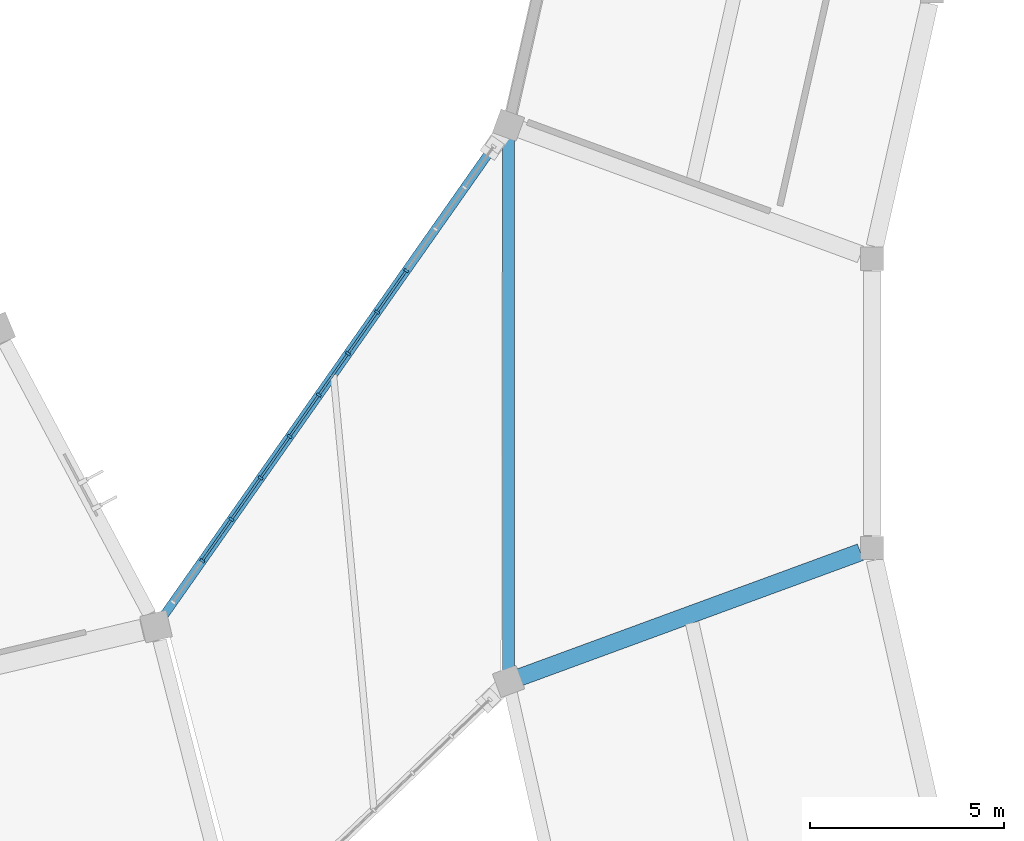
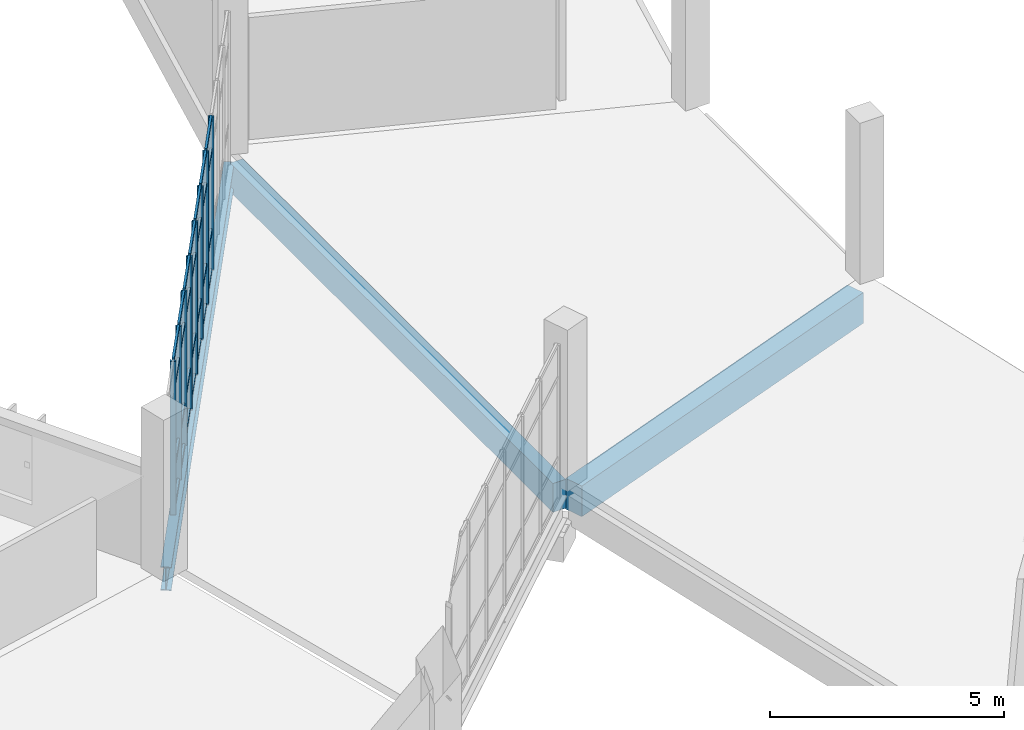
# One storey, part 52 of 142: 36 members, 3 beams, 1 element without a shape of its own.
"""IFC4 building model written with IfcOpenShell, lengths in metres."""

from ifc_helpers import new_model, si_unit, direction, frame, origin, origin_2d, place, context, subcontext, project, spatial, rectangle, i_section, extrude, material, layer, layer_set, material_profile, profile_set, type_object, element, aggregate, save


model = new_model("IFC4")

# Units and contexts
model_context = context("Model", 3, precision=1e-05, world=origin(), true_north=direction((0.0, 1.0)))
body_context = subcontext(model_context, "Body", "Model", "MODEL_VIEW")
ifc_project = project(units=[si_unit("LENGTHUNIT", "METRE"), si_unit("AREAUNIT", "SQUARE_METRE"), si_unit("VOLUMEUNIT", "CUBIC_METRE"), si_unit("PLANEANGLEUNIT", "RADIAN"), si_unit("MASSUNIT", "GRAM", prefix="KILO")], contexts=[model_context])

# Site, building, storey
site_placement = place(None, origin())
site = spatial("IfcSite", under=ifc_project, at=site_placement, CompositionType="ELEMENT")
building_placement = place(site_placement, origin())
building = spatial("IfcBuilding", under=site, at=building_placement, Name="Corvandel Quay Wholesale Market", CompositionType="ELEMENT")
storey_placement = place(building_placement, frame((0.0, 0.0, 10.800048828125)))
storey = spatial("IfcBuildingStorey", under=building, at=storey_placement, Name="L02", CompositionType="ELEMENT", Elevation=10.800048828125)

# Beams
ifc_material_1 = material(Name="Precast concrete C45/55", Category="concrete")
ifc_material_profile_1 = material_profile(ifc_material_1, rectangle(XDim=0.449951171875, YDim=0.800048828125, at=origin_2d()), Name="PC-GIR-450x800")
ifc_profile_set_1 = profile_set([ifc_material_profile_1], Name="Precast concrete C45/55")
beam_type_1 = type_object("IfcBeamType", Name="Auction Pavilion Girder G05 450x800", PredefinedType="USERDEFINED", material=ifc_profile_set_1)
beam_1_placement = place(storey_placement, frame((175.25341796875, 52.93212890625, -0.6201171875), z_axis=(0.938713588156, 0.344698127949, 0.0), x_axis=(-0.344698127949, 0.938713588156, 0.0)))
element("IfcBeam", 1, at=beam_1_placement, inside=storey, type_object=beam_type_1, Name="Beam BM-0857", ObjectType="GIRDER", PredefinedType="USERDEFINED", context=body_context, shape_type="SweptSolid", body=[
    extrude(rectangle(XDim=0.449951171875, YDim=0.800048828125, at=origin_2d()), origin(), (0.0, 0.0, 1.0), 9.381103515625),
])
ifc_material_2 = material(Name="Steel A992 Grade 50", Category="steel")
ifc_material_profile_2 = material_profile(ifc_material_2, i_section(OverallWidth=0.22900390625, OverallDepth=0.612060546875, WebThickness=0.011962890625, FlangeThickness=0.01953125, at=origin_2d()), Name="W24X84")
ifc_profile_set_2 = profile_set([ifc_material_profile_2], Name="Steel A992 Grade 50")
beam_type_2 = type_object("IfcBeamType", Name="Bridge Link Steel Girder SG02 W24X84", PredefinedType="USERDEFINED", material=ifc_profile_set_2)
beam_2_placement = place(storey_placement, frame((166.135009765625, 54.549560546875, -0.526123046875), z_axis=(0.575077001767, 0.818099286174, 0.0), x_axis=(-0.818099286174, 0.575077001767, 0.0)))
element("IfcBeam", 2, at=beam_2_placement, inside=storey, type_object=beam_type_2, Name="Beam BM-1799", ObjectType="GIRDER", PredefinedType="USERDEFINED", context=body_context, shape_type="SweptSolid", body=[
    extrude(i_section(OverallWidth=0.22900390625, OverallDepth=0.612060546875, WebThickness=0.011962890625, FlangeThickness=0.01953125, at=origin_2d()), origin(), (0.0, 0.0, 1.0), 15.150390625),
])

# Curtain wall, members
ifc_material_3 = material(Name="Bronze anodised aluminium and low-E insulated glazing", Category="aluminium")
ifc_layer = layer(ifc_material_3, 0.14990234375)
ifc_layer_set = layer_set([ifc_layer], Name="Bronze anodised aluminium and low-E insulated glazing")
curtain_wall_type = type_object("IfcCurtainWallType", Name="Stick Curtain Wall System CW20 H4800", PredefinedType="NOTDEFINED", material=ifc_layer_set)
curtain_wall_placement = place(storey_placement, origin())
curtain_wall = element("IfcCurtainWall", 3, at=curtain_wall_placement, inside=storey, type_object=curtain_wall_type, Name="Curtain Wall CW-0179", PredefinedType="NOTDEFINED")
ifc_material_4 = material(Name="Anodised aluminium 6063-T6", Category="aluminium")
ifc_material_profile_3 = material_profile(ifc_material_4, rectangle(XDim=0.06005859375, YDim=0.1298828125, at=origin_2d()), Name="ALU-MUL-60x130")
ifc_profile_set_3 = profile_set([ifc_material_profile_3], Name="Anodised aluminium 6063-T6")
member_type_1 = type_object("IfcMemberType", Name="Clerestory Mullion ML03 60x130", PredefinedType="MULLION", material=ifc_profile_set_3)
member_1_placement = place(storey_placement, frame((167.114990234375, 55.944091796875, -0.030029296875), z_axis=(0.0, 0.0, 1.0), x_axis=(0.575148037348, 0.818049347616, 0.0)))
member_1 = element("IfcMember", 4, at=member_1_placement, type_object=member_type_1, Name="Mullion CW-0179-M01", PredefinedType="MULLION", context=body_context, shape_type="SweptSolid", body=[
    extrude(rectangle(XDim=0.06005859375, YDim=0.1298828125, at=origin_2d()), origin(), (0.0, 0.0, 1.0), 4.0),
])
member_2_placement = place(storey_placement, frame((167.865478515625, 57.011474609375, -0.030029296875), z_axis=(0.0, 0.0, 1.0), x_axis=(0.575148037348, 0.818049347616, 0.0)))
member_2 = element("IfcMember", 5, at=member_2_placement, type_object=member_type_1, Name="Mullion CW-0179-M02", PredefinedType="MULLION", context=body_context, shape_type="SweptSolid", body=[
    extrude(rectangle(XDim=0.06005859375, YDim=0.1298828125, at=origin_2d()), origin(), (0.0, 0.0, 1.0), 4.0),
])
member_3_placement = place(storey_placement, frame((168.615478515625, 58.07861328125, -0.030029296875), z_axis=(0.0, 0.0, 1.0), x_axis=(0.575148037348, 0.818049347616, 0.0)))
member_3 = element("IfcMember", 6, at=member_3_placement, type_object=member_type_1, Name="Mullion CW-0179-M03", PredefinedType="MULLION", context=body_context, shape_type="SweptSolid", body=[
    extrude(rectangle(XDim=0.06005859375, YDim=0.1298828125, at=origin_2d()), origin(), (0.0, 0.0, 1.0), 4.0),
])
member_4_placement = place(storey_placement, frame((169.365966796875, 59.14599609375, -0.030029296875), z_axis=(0.0, 0.0, 1.0), x_axis=(0.575148037348, 0.818049347616, 0.0)))
member_4 = element("IfcMember", 7, at=member_4_placement, type_object=member_type_1, Name="Mullion CW-0179-M04", PredefinedType="MULLION", context=body_context, shape_type="SweptSolid", body=[
    extrude(rectangle(XDim=0.06005859375, YDim=0.1298828125, at=origin_2d()), origin(), (0.0, 0.0, 1.0), 4.0),
])
member_5_placement = place(storey_placement, frame((170.1162109375, 60.21337890625, -0.030029296875), z_axis=(0.0, 0.0, 1.0), x_axis=(0.575148037348, 0.818049347616, 0.0)))
member_5 = element("IfcMember", 8, at=member_5_placement, type_object=member_type_1, Name="Mullion CW-0179-M05", PredefinedType="MULLION", context=body_context, shape_type="SweptSolid", body=[
    extrude(rectangle(XDim=0.06005859375, YDim=0.1298828125, at=origin_2d()), origin(), (0.0, 0.0, 1.0), 4.0),
])
member_6_placement = place(storey_placement, frame((170.866455078125, 61.280517578125, -0.030029296875), z_axis=(0.0, 0.0, 1.0), x_axis=(0.575148037348, 0.818049347616, 0.0)))
member_6 = element("IfcMember", 9, at=member_6_placement, type_object=member_type_1, Name="Mullion CW-0179-M06", PredefinedType="MULLION", context=body_context, shape_type="SweptSolid", body=[
    extrude(rectangle(XDim=0.06005859375, YDim=0.1298828125, at=origin_2d()), origin(), (0.0, 0.0, 1.0), 4.0),
])
member_7_placement = place(storey_placement, frame((171.61669921875, 62.347900390625, -0.030029296875), z_axis=(0.0, 0.0, 1.0), x_axis=(0.575148037348, 0.818049347616, 0.0)))
member_7 = element("IfcMember", 10, at=member_7_placement, type_object=member_type_1, Name="Mullion CW-0179-M07", PredefinedType="MULLION", context=body_context, shape_type="SweptSolid", body=[
    extrude(rectangle(XDim=0.06005859375, YDim=0.1298828125, at=origin_2d()), origin(), (0.0, 0.0, 1.0), 4.0),
])
member_8_placement = place(storey_placement, frame((172.366943359375, 63.4150390625, -0.030029296875), z_axis=(0.0, 0.0, 1.0), x_axis=(0.575148037348, 0.818049347616, 0.0)))
member_8 = element("IfcMember", 11, at=member_8_placement, type_object=member_type_1, Name="Mullion CW-0179-M08", PredefinedType="MULLION", context=body_context, shape_type="SweptSolid", body=[
    extrude(rectangle(XDim=0.06005859375, YDim=0.1298828125, at=origin_2d()), origin(), (0.0, 0.0, 1.0), 4.0),
])
ifc_material_profile_4 = material_profile(ifc_material_4, rectangle(XDim=0.054931640625, YDim=0.094970703125, at=origin_2d()), Name="ALU-TRN-55x95")
ifc_profile_set_4 = profile_set([ifc_material_profile_4], Name="Anodised aluminium 6063-T6")
member_type_2 = type_object("IfcMemberType", Name="Clerestory Transom TR03 55x95", PredefinedType="USERDEFINED", material=ifc_profile_set_4)
member_9_placement = place(storey_placement, frame((167.13232421875, 55.96875, -0.030029296875), z_axis=(0.575172649736, 0.818032042769, 0.0), x_axis=(-0.818032042769, 0.575172649736, 0.0)))
member_9 = element("IfcMember", 12, at=member_9_placement, type_object=member_type_2, Name="Transom CW-0179-T01-0", ObjectType="TRANSOM", PredefinedType="USERDEFINED", context=body_context, shape_type="SweptSolid", body=[
    extrude(rectangle(XDim=0.054931640625, YDim=0.094970703125, at=origin_2d()), origin(), (0.0, 0.0, 1.0), 1.24462890625),
])
member_10_placement = place(storey_placement, frame((167.13232421875, 55.96875, 1.02001953125), z_axis=(0.575172649736, 0.818032042769, 0.0), x_axis=(-0.818032042769, 0.575172649736, 0.0)))
member_10 = element("IfcMember", 13, at=member_10_placement, type_object=member_type_2, Name="Transom CW-0179-T01-1", ObjectType="TRANSOM", PredefinedType="USERDEFINED", context=body_context, shape_type="SweptSolid", body=[
    extrude(rectangle(XDim=0.054931640625, YDim=0.094970703125, at=origin_2d()), origin(), (0.0, 0.0, 1.0), 1.24462890625),
])
member_11_placement = place(storey_placement, frame((167.13232421875, 55.96875, 3.119873046875), z_axis=(0.575172649736, 0.818032042769, 0.0), x_axis=(-0.818032042769, 0.575172649736, 0.0)))
member_11 = element("IfcMember", 14, at=member_11_placement, type_object=member_type_2, Name="Transom CW-0179-T01-2", ObjectType="TRANSOM", PredefinedType="USERDEFINED", context=body_context, shape_type="SweptSolid", body=[
    extrude(rectangle(XDim=0.054931640625, YDim=0.094970703125, at=origin_2d()), origin(), (0.0, 0.0, 1.0), 1.24462890625),
])
member_12_placement = place(storey_placement, frame((167.13232421875, 55.96875, 3.969970703125), z_axis=(0.575172649736, 0.818032042769, 0.0), x_axis=(-0.818032042769, 0.575172649736, 0.0)))
member_12 = element("IfcMember", 15, at=member_12_placement, type_object=member_type_2, Name="Transom CW-0179-T01-3", ObjectType="TRANSOM", PredefinedType="USERDEFINED", context=body_context, shape_type="SweptSolid", body=[
    extrude(rectangle(XDim=0.054931640625, YDim=0.094970703125, at=origin_2d()), origin(), (0.0, 0.0, 1.0), 1.24462890625),
])
member_13_placement = place(storey_placement, frame((167.882568359375, 57.035888671875, -0.030029296875), z_axis=(0.575080360651, 0.81809692506, 0.0), x_axis=(-0.81809692506, 0.575080360651, 0.0)))
member_13 = element("IfcMember", 16, at=member_13_placement, type_object=member_type_2, Name="Transom CW-0179-T02-0", ObjectType="TRANSOM", PredefinedType="USERDEFINED", context=body_context, shape_type="SweptSolid", body=[
    extrude(rectangle(XDim=0.054931640625, YDim=0.094970703125, at=origin_2d()), origin(), (0.0, 0.0, 1.0), 1.24462890625),
])
member_14_placement = place(storey_placement, frame((167.882568359375, 57.035888671875, 1.02001953125), z_axis=(0.575080360651, 0.81809692506, 0.0), x_axis=(-0.81809692506, 0.575080360651, 0.0)))
member_14 = element("IfcMember", 17, at=member_14_placement, type_object=member_type_2, Name="Transom CW-0179-T02-1", ObjectType="TRANSOM", PredefinedType="USERDEFINED", context=body_context, shape_type="SweptSolid", body=[
    extrude(rectangle(XDim=0.054931640625, YDim=0.094970703125, at=origin_2d()), origin(), (0.0, 0.0, 1.0), 1.24462890625),
])
member_15_placement = place(storey_placement, frame((167.882568359375, 57.035888671875, 3.119873046875), z_axis=(0.575080360651, 0.81809692506, 0.0), x_axis=(-0.81809692506, 0.575080360651, 0.0)))
member_15 = element("IfcMember", 18, at=member_15_placement, type_object=member_type_2, Name="Transom CW-0179-T02-2", ObjectType="TRANSOM", PredefinedType="USERDEFINED", context=body_context, shape_type="SweptSolid", body=[
    extrude(rectangle(XDim=0.054931640625, YDim=0.094970703125, at=origin_2d()), origin(), (0.0, 0.0, 1.0), 1.24462890625),
])
member_16_placement = place(storey_placement, frame((167.882568359375, 57.035888671875, 3.969970703125), z_axis=(0.575080360651, 0.81809692506, 0.0), x_axis=(-0.81809692506, 0.575080360651, 0.0)))
member_16 = element("IfcMember", 19, at=member_16_placement, type_object=member_type_2, Name="Transom CW-0179-T02-3", ObjectType="TRANSOM", PredefinedType="USERDEFINED", context=body_context, shape_type="SweptSolid", body=[
    extrude(rectangle(XDim=0.054931640625, YDim=0.094970703125, at=origin_2d()), origin(), (0.0, 0.0, 1.0), 1.24462890625),
])
member_17_placement = place(storey_placement, frame((168.6328125, 58.103271484375, -0.030029296875), z_axis=(0.575172649736, 0.818032042769, 0.0), x_axis=(-0.818032042769, 0.575172649736, 0.0)))
member_17 = element("IfcMember", 20, at=member_17_placement, type_object=member_type_2, Name="Transom CW-0179-T03-0", ObjectType="TRANSOM", PredefinedType="USERDEFINED", context=body_context, shape_type="SweptSolid", body=[
    extrude(rectangle(XDim=0.054931640625, YDim=0.094970703125, at=origin_2d()), origin(), (0.0, 0.0, 1.0), 1.24462890625),
])
member_18_placement = place(storey_placement, frame((168.6328125, 58.103271484375, 1.02001953125), z_axis=(0.575172649736, 0.818032042769, 0.0), x_axis=(-0.818032042769, 0.575172649736, 0.0)))
member_18 = element("IfcMember", 21, at=member_18_placement, type_object=member_type_2, Name="Transom CW-0179-T03-1", ObjectType="TRANSOM", PredefinedType="USERDEFINED", context=body_context, shape_type="SweptSolid", body=[
    extrude(rectangle(XDim=0.054931640625, YDim=0.094970703125, at=origin_2d()), origin(), (0.0, 0.0, 1.0), 1.24462890625),
])
member_19_placement = place(storey_placement, frame((168.6328125, 58.103271484375, 3.119873046875), z_axis=(0.575172649736, 0.818032042769, 0.0), x_axis=(-0.818032042769, 0.575172649736, 0.0)))
member_19 = element("IfcMember", 22, at=member_19_placement, type_object=member_type_2, Name="Transom CW-0179-T03-2", ObjectType="TRANSOM", PredefinedType="USERDEFINED", context=body_context, shape_type="SweptSolid", body=[
    extrude(rectangle(XDim=0.054931640625, YDim=0.094970703125, at=origin_2d()), origin(), (0.0, 0.0, 1.0), 1.24462890625),
])
member_20_placement = place(storey_placement, frame((168.6328125, 58.103271484375, 3.969970703125), z_axis=(0.575172649736, 0.818032042769, 0.0), x_axis=(-0.818032042769, 0.575172649736, 0.0)))
member_20 = element("IfcMember", 23, at=member_20_placement, type_object=member_type_2, Name="Transom CW-0179-T03-3", ObjectType="TRANSOM", PredefinedType="USERDEFINED", context=body_context, shape_type="SweptSolid", body=[
    extrude(rectangle(XDim=0.054931640625, YDim=0.094970703125, at=origin_2d()), origin(), (0.0, 0.0, 1.0), 1.24462890625),
])
member_21_placement = place(storey_placement, frame((169.383056640625, 59.17041015625, -0.030029296875), z_axis=(0.575080360651, 0.81809692506, 0.0), x_axis=(-0.81809692506, 0.575080360651, 0.0)))
member_21 = element("IfcMember", 24, at=member_21_placement, type_object=member_type_2, Name="Transom CW-0179-T04-0", ObjectType="TRANSOM", PredefinedType="USERDEFINED", context=body_context, shape_type="SweptSolid", body=[
    extrude(rectangle(XDim=0.054931640625, YDim=0.094970703125, at=origin_2d()), origin(), (0.0, 0.0, 1.0), 1.24462890625),
])
member_22_placement = place(storey_placement, frame((169.383056640625, 59.17041015625, 1.02001953125), z_axis=(0.575080360651, 0.81809692506, 0.0), x_axis=(-0.81809692506, 0.575080360651, 0.0)))
member_22 = element("IfcMember", 25, at=member_22_placement, type_object=member_type_2, Name="Transom CW-0179-T04-1", ObjectType="TRANSOM", PredefinedType="USERDEFINED", context=body_context, shape_type="SweptSolid", body=[
    extrude(rectangle(XDim=0.054931640625, YDim=0.094970703125, at=origin_2d()), origin(), (0.0, 0.0, 1.0), 1.24462890625),
])
member_23_placement = place(storey_placement, frame((169.383056640625, 59.17041015625, 3.119873046875), z_axis=(0.575080360651, 0.81809692506, 0.0), x_axis=(-0.81809692506, 0.575080360651, 0.0)))
member_23 = element("IfcMember", 26, at=member_23_placement, type_object=member_type_2, Name="Transom CW-0179-T04-2", ObjectType="TRANSOM", PredefinedType="USERDEFINED", context=body_context, shape_type="SweptSolid", body=[
    extrude(rectangle(XDim=0.054931640625, YDim=0.094970703125, at=origin_2d()), origin(), (0.0, 0.0, 1.0), 1.24462890625),
])
member_24_placement = place(storey_placement, frame((169.383056640625, 59.17041015625, 3.969970703125), z_axis=(0.575080360651, 0.81809692506, 0.0), x_axis=(-0.81809692506, 0.575080360651, 0.0)))
member_24 = element("IfcMember", 27, at=member_24_placement, type_object=member_type_2, Name="Transom CW-0179-T04-3", ObjectType="TRANSOM", PredefinedType="USERDEFINED", context=body_context, shape_type="SweptSolid", body=[
    extrude(rectangle(XDim=0.054931640625, YDim=0.094970703125, at=origin_2d()), origin(), (0.0, 0.0, 1.0), 1.24462890625),
])
member_25_placement = place(storey_placement, frame((170.13330078125, 60.23779296875, -0.030029296875), z_axis=(0.575080360651, 0.81809692506, 0.0), x_axis=(-0.81809692506, 0.575080360651, 0.0)))
member_25 = element("IfcMember", 28, at=member_25_placement, type_object=member_type_2, Name="Transom CW-0179-T05-0", ObjectType="TRANSOM", PredefinedType="USERDEFINED", context=body_context, shape_type="SweptSolid", body=[
    extrude(rectangle(XDim=0.054931640625, YDim=0.094970703125, at=origin_2d()), origin(), (0.0, 0.0, 1.0), 1.24462890625),
])
member_26_placement = place(storey_placement, frame((170.13330078125, 60.23779296875, 1.02001953125), z_axis=(0.575080360651, 0.81809692506, 0.0), x_axis=(-0.81809692506, 0.575080360651, 0.0)))
member_26 = element("IfcMember", 29, at=member_26_placement, type_object=member_type_2, Name="Transom CW-0179-T05-1", ObjectType="TRANSOM", PredefinedType="USERDEFINED", context=body_context, shape_type="SweptSolid", body=[
    extrude(rectangle(XDim=0.054931640625, YDim=0.094970703125, at=origin_2d()), origin(), (0.0, 0.0, 1.0), 1.24462890625),
])
member_27_placement = place(storey_placement, frame((170.13330078125, 60.23779296875, 3.119873046875), z_axis=(0.575080360651, 0.81809692506, 0.0), x_axis=(-0.81809692506, 0.575080360651, 0.0)))
member_27 = element("IfcMember", 30, at=member_27_placement, type_object=member_type_2, Name="Transom CW-0179-T05-2", ObjectType="TRANSOM", PredefinedType="USERDEFINED", context=body_context, shape_type="SweptSolid", body=[
    extrude(rectangle(XDim=0.054931640625, YDim=0.094970703125, at=origin_2d()), origin(), (0.0, 0.0, 1.0), 1.24462890625),
])
member_28_placement = place(storey_placement, frame((170.13330078125, 60.23779296875, 3.969970703125), z_axis=(0.575080360651, 0.81809692506, 0.0), x_axis=(-0.81809692506, 0.575080360651, 0.0)))
member_28 = element("IfcMember", 31, at=member_28_placement, type_object=member_type_2, Name="Transom CW-0179-T05-3", ObjectType="TRANSOM", PredefinedType="USERDEFINED", context=body_context, shape_type="SweptSolid", body=[
    extrude(rectangle(XDim=0.054931640625, YDim=0.094970703125, at=origin_2d()), origin(), (0.0, 0.0, 1.0), 1.24462890625),
])
member_29_placement = place(storey_placement, frame((170.883544921875, 61.30517578125, -0.030029296875), z_axis=(0.575172649736, 0.818032042769, 0.0), x_axis=(-0.818032042769, 0.575172649736, 0.0)))
member_29 = element("IfcMember", 32, at=member_29_placement, type_object=member_type_2, Name="Transom CW-0179-T06-0", ObjectType="TRANSOM", PredefinedType="USERDEFINED", context=body_context, shape_type="SweptSolid", body=[
    extrude(rectangle(XDim=0.054931640625, YDim=0.094970703125, at=origin_2d()), origin(), (0.0, 0.0, 1.0), 1.24462890625),
])
member_30_placement = place(storey_placement, frame((170.883544921875, 61.30517578125, 1.02001953125), z_axis=(0.575172649736, 0.818032042769, 0.0), x_axis=(-0.818032042769, 0.575172649736, 0.0)))
member_30 = element("IfcMember", 33, at=member_30_placement, type_object=member_type_2, Name="Transom CW-0179-T06-1", ObjectType="TRANSOM", PredefinedType="USERDEFINED", context=body_context, shape_type="SweptSolid", body=[
    extrude(rectangle(XDim=0.054931640625, YDim=0.094970703125, at=origin_2d()), origin(), (0.0, 0.0, 1.0), 1.24462890625),
])
member_31_placement = place(storey_placement, frame((170.883544921875, 61.30517578125, 3.119873046875), z_axis=(0.575172649736, 0.818032042769, 0.0), x_axis=(-0.818032042769, 0.575172649736, 0.0)))
member_31 = element("IfcMember", 34, at=member_31_placement, type_object=member_type_2, Name="Transom CW-0179-T06-2", ObjectType="TRANSOM", PredefinedType="USERDEFINED", context=body_context, shape_type="SweptSolid", body=[
    extrude(rectangle(XDim=0.054931640625, YDim=0.094970703125, at=origin_2d()), origin(), (0.0, 0.0, 1.0), 1.24462890625),
])
member_32_placement = place(storey_placement, frame((170.883544921875, 61.30517578125, 3.969970703125), z_axis=(0.575172649736, 0.818032042769, 0.0), x_axis=(-0.818032042769, 0.575172649736, 0.0)))
member_32 = element("IfcMember", 35, at=member_32_placement, type_object=member_type_2, Name="Transom CW-0179-T06-3", ObjectType="TRANSOM", PredefinedType="USERDEFINED", context=body_context, shape_type="SweptSolid", body=[
    extrude(rectangle(XDim=0.054931640625, YDim=0.094970703125, at=origin_2d()), origin(), (0.0, 0.0, 1.0), 1.24462890625),
])
member_33_placement = place(storey_placement, frame((171.6337890625, 62.372314453125, -0.030029296875), z_axis=(0.575172649736, 0.818032042769, 0.0), x_axis=(-0.818032042769, 0.575172649736, 0.0)))
member_33 = element("IfcMember", 36, at=member_33_placement, type_object=member_type_2, Name="Transom CW-0179-T07-0", ObjectType="TRANSOM", PredefinedType="USERDEFINED", context=body_context, shape_type="SweptSolid", body=[
    extrude(rectangle(XDim=0.054931640625, YDim=0.094970703125, at=origin_2d()), origin(), (0.0, 0.0, 1.0), 1.24462890625),
])
member_34_placement = place(storey_placement, frame((171.6337890625, 62.372314453125, 1.02001953125), z_axis=(0.575172649736, 0.818032042769, 0.0), x_axis=(-0.818032042769, 0.575172649736, 0.0)))
member_34 = element("IfcMember", 37, at=member_34_placement, type_object=member_type_2, Name="Transom CW-0179-T07-1", ObjectType="TRANSOM", PredefinedType="USERDEFINED", context=body_context, shape_type="SweptSolid", body=[
    extrude(rectangle(XDim=0.054931640625, YDim=0.094970703125, at=origin_2d()), origin(), (0.0, 0.0, 1.0), 1.24462890625),
])
member_35_placement = place(storey_placement, frame((171.6337890625, 62.372314453125, 3.119873046875), z_axis=(0.575172649736, 0.818032042769, 0.0), x_axis=(-0.818032042769, 0.575172649736, 0.0)))
member_35 = element("IfcMember", 38, at=member_35_placement, type_object=member_type_2, Name="Transom CW-0179-T07-2", ObjectType="TRANSOM", PredefinedType="USERDEFINED", context=body_context, shape_type="SweptSolid", body=[
    extrude(rectangle(XDim=0.054931640625, YDim=0.094970703125, at=origin_2d()), origin(), (0.0, 0.0, 1.0), 1.24462890625),
])
member_36_placement = place(storey_placement, frame((171.6337890625, 62.372314453125, 3.969970703125), z_axis=(0.575172649736, 0.818032042769, 0.0), x_axis=(-0.818032042769, 0.575172649736, 0.0)))
member_36 = element("IfcMember", 39, at=member_36_placement, type_object=member_type_2, Name="Transom CW-0179-T07-3", ObjectType="TRANSOM", PredefinedType="USERDEFINED", context=body_context, shape_type="SweptSolid", body=[
    extrude(rectangle(XDim=0.054931640625, YDim=0.094970703125, at=origin_2d()), origin(), (0.0, 0.0, 1.0), 1.24462890625),
])
aggregate(curtain_wall, [member_1, member_2, member_3, member_4, member_5, member_6, member_7, member_8, member_9, member_10, member_11, member_12, member_13, member_14, member_15, member_16, member_17, member_18, member_19, member_20, member_21, member_22, member_23, member_24, member_25, member_26, member_27, member_28, member_29, member_30, member_31, member_32, member_33, member_34, member_35, member_36])

# Beam
ifc_material_profile_5 = material_profile(ifc_material_1, rectangle(XDim=0.320068359375, YDim=0.75, at=origin_2d()), Name="PC-SPN-320x750")
ifc_profile_set_5 = profile_set([ifc_material_profile_5], Name="Precast concrete C45/55")
beam_type_3 = type_object("IfcBeamType", Name="Pavilion Precast Spandrel SP02 320x750", PredefinedType="SPANDREL", material=ifc_profile_set_5)
beam_3_placement = place(storey_placement, frame((175.0, 66.89111328125, -0.594970703125), z_axis=(0.0, -1.0, 0.0), x_axis=(1.0, 0.0, 0.0)))
element("IfcBeam", 40, at=beam_3_placement, inside=storey, type_object=beam_type_3, Name="Beam BM-0845", PredefinedType="SPANDREL", context=body_context, shape_type="SweptSolid", body=[
    extrude(rectangle(XDim=0.320068359375, YDim=0.75, at=origin_2d()), origin(), (0.0, 0.0, 1.0), 13.7822265625),
])

save(model, "model.ifc")
